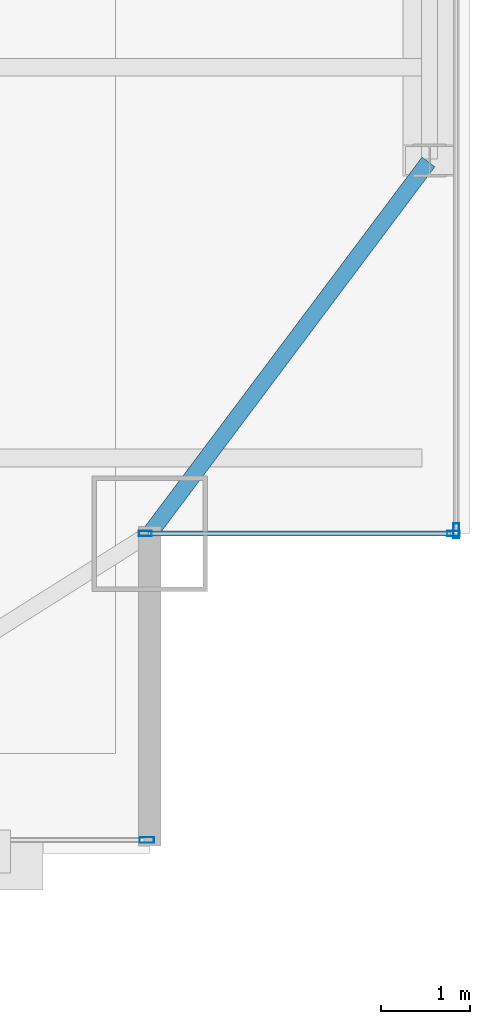
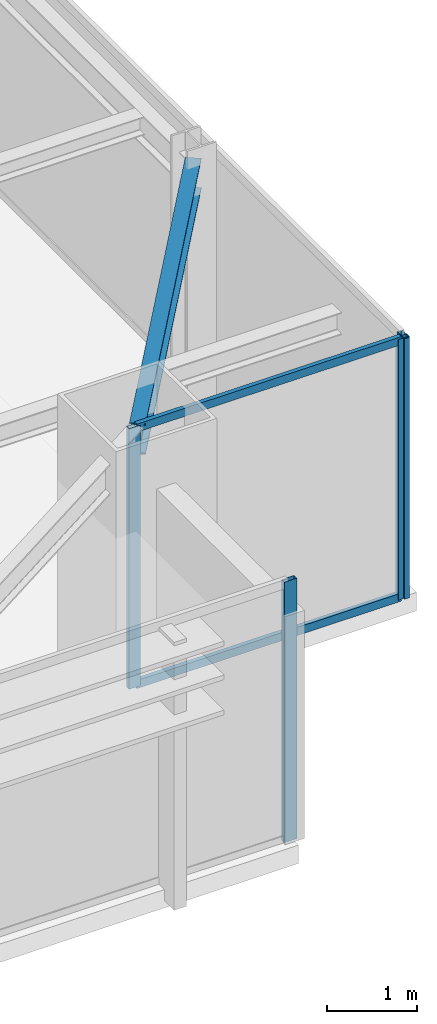
# One storey, part 16 of 32: 6 members, 1 beam, 3 elements without a shape of their own.
"""IFC4 building model written with IfcOpenShell, lengths in metres."""

from ifc_helpers import new_model, si_unit, direction, frame, origin, origin_2d, place, context, subcontext, project, spatial, hollow_rectangle, i_section, extrude, source, transform, mapped, material, layer, layer_set, material_profile, profile_set, type_object, type_shapes, element, aggregate, save


model = new_model("IFC4")

# Units and contexts
model_context = context("Model", 3, precision=1e-05, world=origin(), true_north=direction((0.0, 1.0)))
body_context = subcontext(model_context, "Body", "Model", "MODEL_VIEW")
ifc_project = project(units=[si_unit("LENGTHUNIT", "METRE"), si_unit("AREAUNIT", "SQUARE_METRE"), si_unit("VOLUMEUNIT", "CUBIC_METRE"), si_unit("PLANEANGLEUNIT", "RADIAN"), si_unit("MASSUNIT", "GRAM", prefix="KILO")], contexts=[model_context])

# Site, building, storey
site_placement = place(None, origin())
site = spatial("IfcSite", under=ifc_project, at=site_placement, CompositionType="ELEMENT")
building_placement = place(site_placement, origin())
building = spatial("IfcBuilding", under=site, at=building_placement, Name="Varnel Quay Broadcast Tower", CompositionType="ELEMENT")
storey_placement = place(building_placement, frame((0.0, 0.0, 164.800048828125)))
storey = spatial("IfcBuildingStorey", under=building, at=storey_placement, Name="L40", CompositionType="ELEMENT", Elevation=164.800048828125)

# Beam
ifc_material_1 = material(Name="Structural Steel CSA G40.21 350W", Category="steel")
ifc_material_profile_1 = material_profile(ifc_material_1, i_section(OverallWidth=0.180908203125, OverallDepth=0.4169921875, WebThickness=0.010986328125, FlangeThickness=0.018310546875, FilletRadius=0.011962890625, at=origin_2d()), Name="W410X85")
ifc_profile_set_1 = profile_set([ifc_material_profile_1], Name="Structural Steel CSA G40.21 350W")
beam_type = type_object("IfcBeamType", Name="Beam_W410X85", PredefinedType="SPANDREL", material=ifc_profile_set_1)
shared_shape_1 = source(origin(), body_context, "Body", "SweptSolid", [
    extrude(i_section(OverallWidth=0.180908203125, OverallDepth=0.4169921875, WebThickness=0.010986328125, FlangeThickness=0.018310546875, FilletRadius=0.011962890625, at=origin_2d()), origin(), (0.0, 0.0, 1.0), 5.2099609375),
])
type_shapes(beam_type, [shared_shape_1])
beam_placement = place(storey_placement, frame((57.412109375, 10.81591796875, 3.341552734375), z_axis=(0.6, 0.8, 0.0), x_axis=(-0.8, 0.6, 0.0)))
element("IfcBeam", 1, at=beam_placement, inside=storey, type_object=beam_type, Name="L40 East Spandrel MC-SE-TC-E1", PredefinedType="SPANDREL", context=body_context, shape_type="MappedRepresentation", body=[
    mapped(shared_shape_1, transform((0.0, 0.0, 0.0), x_axis=(1.0, 0.0, 0.0), y_axis=(0.0, 1.0, 0.0), z_axis=(0.0, 0.0, 1.0), scale=1.0)),
])

# Curtain wall, members
ifc_material_2 = material(Name="Anodised Bronze Aluminium 6063-T6", Category="aluminium")
ifc_layer_1 = layer(ifc_material_2, 0.18994140625, Name="Anodised Bronze Aluminium 6063-T6")
ifc_layer_set_1 = layer_set([ifc_layer_1], Name="Anodised Bronze Aluminium 6063-T6")
curtain_wall_type_1 = type_object("IfcCurtainWallType", Name="CW_NotchCorner", PredefinedType="NOTDEFINED", material=ifc_layer_set_1)
curtain_wall_1_placement = place(storey_placement, origin())
curtain_wall_1 = element("IfcCurtainWall", 2, at=curtain_wall_1_placement, inside=storey, type_object=curtain_wall_type_1, Name="L40 SE Notch Curtain Wall", PredefinedType="NOTDEFINED")
ifc_material_profile_2 = material_profile(ifc_material_2, hollow_rectangle(XDim=0.054931640625, YDim=0.110107421875, WallThickness=0.0029296875, at=origin_2d()), Name="ALU55X110X3")
ifc_profile_set_2 = profile_set([ifc_material_profile_2], Name="Anodised Bronze Aluminium 6063-T6")
member_type_1 = type_object("IfcMemberType", Name="Tran_CWS-04", PredefinedType="USERDEFINED", material=ifc_profile_set_2)
shared_shape_2 = source(origin(), body_context, "Body", "SweptSolid", [
    extrude(hollow_rectangle(XDim=0.054931640625, YDim=0.110107421875, WallThickness=0.0029296875, at=origin_2d()), origin(), (0.0, 0.0, 1.0), 3.41015625),
])
type_shapes(member_type_1, [shared_shape_2])
member_1_placement = place(storey_placement, frame((57.3798828125, 10.800048828125, 0.02734375), z_axis=(1.0, 0.0, 0.0), x_axis=(0.0, 1.0, 0.0)))
member_1 = element("IfcMember", 3, at=member_1_placement, type_object=member_type_1, Name="CWS-04 transom 1.1", ObjectType="TRANSOM", PredefinedType="USERDEFINED", context=body_context, shape_type="MappedRepresentation", body=[
    mapped(shared_shape_2, transform((0.0, 0.0, 0.0), x_axis=(1.0, 0.0, 0.0), y_axis=(0.0, 1.0, 0.0), z_axis=(0.0, 0.0, 1.0), scale=1.0)),
])
member_2_placement = place(storey_placement, frame((57.3798828125, 10.800048828125, 3.5224609375), z_axis=(1.0, 0.0, 0.0), x_axis=(0.0, 1.0, 0.0)))
member_2 = element("IfcMember", 4, at=member_2_placement, type_object=member_type_1, Name="CWS-04 transom 1.2", ObjectType="TRANSOM", PredefinedType="USERDEFINED", context=body_context, shape_type="MappedRepresentation", body=[
    mapped(shared_shape_2, transform((0.0, 0.0, 0.0), x_axis=(1.0, 0.0, 0.0), y_axis=(0.0, 1.0, 0.0), z_axis=(0.0, 0.0, 1.0), scale=1.0)),
])
ifc_material_profile_3 = material_profile(ifc_material_2, hollow_rectangle(XDim=0.06005859375, YDim=0.14501953125, WallThickness=0.00341796875, at=origin_2d()), Name="ALU60X145X3.5")
ifc_profile_set_3 = profile_set([ifc_material_profile_3], Name="Anodised Bronze Aluminium 6063-T6")
member_type_2 = type_object("IfcMemberType", Name="Mull_CWS-04", PredefinedType="MULLION", material=ifc_profile_set_3)
shared_shape_3 = source(origin(), body_context, "Body", "SweptSolid", [
    extrude(hollow_rectangle(XDim=0.06005859375, YDim=0.14501953125, WallThickness=0.00341796875, at=origin_2d()), origin(), (0.0, 0.0, 1.0), 3.550048828125),
])
type_shapes(member_type_2, [shared_shape_3])
member_3_placement = place(storey_placement, frame((57.35009765625, 10.800048828125, 0.0), z_axis=(0.0, 0.0, 1.0), x_axis=(0.0, 1.0, 0.0)))
member_3 = element("IfcMember", 5, at=member_3_placement, type_object=member_type_2, Name="CWS-04 mullion 1", PredefinedType="MULLION", context=body_context, shape_type="MappedRepresentation", body=[
    mapped(shared_shape_3, transform((0.0, 0.0, 0.0), x_axis=(1.0, 0.0, 0.0), y_axis=(0.0, 1.0, 0.0), z_axis=(0.0, 0.0, 1.0), scale=1.0)),
])
member_4_placement = place(storey_placement, frame((60.820068359375, 10.800048828125, 0.0), z_axis=(0.0, 0.0, 1.0), x_axis=(0.0, 1.0, 0.0)))
member_4 = element("IfcMember", 6, at=member_4_placement, type_object=member_type_2, Name="CWS-04 mullion 2", PredefinedType="MULLION", context=body_context, shape_type="MappedRepresentation", body=[
    mapped(shared_shape_3, transform((0.0, 0.0, 0.0), x_axis=(1.0, 0.0, 0.0), y_axis=(0.0, 1.0, 0.0), z_axis=(0.0, 0.0, 1.0), scale=1.0)),
])
aggregate(curtain_wall_1, [member_3, member_4, member_1, member_2])

# Curtain wall, member
ifc_layer_2 = layer(ifc_material_2, 0.18994140625, Name="Anodised Bronze Aluminium 6063-T6")
ifc_layer_set_2 = layer_set([ifc_layer_2], Name="Anodised Bronze Aluminium 6063-T6")
curtain_wall_type_2 = type_object("IfcCurtainWallType", Name="CW_UpperTower", PredefinedType="NOTDEFINED", material=ifc_layer_set_2)
curtain_wall_2_placement = place(storey_placement, origin())
curtain_wall_2 = element("IfcCurtainWall", 7, at=curtain_wall_2_placement, inside=storey, type_object=curtain_wall_type_2, Name="L40 South Unitised Curtain Wall 3", PredefinedType="NOTDEFINED")
ifc_material_profile_4 = material_profile(ifc_material_2, hollow_rectangle(XDim=0.06494140625, YDim=0.1650390625, WallThickness=0.00341796875, at=origin_2d()), Name="ALU65X165X3.5")
ifc_profile_set_4 = profile_set([ifc_material_profile_4], Name="Anodised Bronze Aluminium 6063-T6")
member_type_3 = type_object("IfcMemberType", Name="Mull_CWS-03", PredefinedType="MULLION", material=ifc_profile_set_4)
shared_shape_4 = source(origin(), body_context, "Body", "SweptSolid", [
    extrude(hollow_rectangle(XDim=0.06494140625, YDim=0.1650390625, WallThickness=0.00341796875, at=origin_2d()), origin(), (0.0, 0.0, 1.0), 3.550048828125),
])
type_shapes(member_type_3, [shared_shape_4])
member_5_placement = place(storey_placement, frame((57.367431640625, 7.35009765625, 0.0), z_axis=(0.0, 0.0, 1.0), x_axis=(0.0, 1.0, 0.0)))
member_5 = element("IfcMember", 8, at=member_5_placement, type_object=member_type_3, Name="CWS-03 mullion 2", PredefinedType="MULLION", context=body_context, shape_type="MappedRepresentation", body=[
    mapped(shared_shape_4, transform((0.0, 0.0, 0.0), x_axis=(1.0, 0.0, 0.0), y_axis=(0.0, 1.0, 0.0), z_axis=(0.0, 0.0, 1.0), scale=1.0)),
])
aggregate(curtain_wall_2, [member_5])

curtain_wall_3_placement = place(storey_placement, origin())
curtain_wall_3 = element("IfcCurtainWall", 9, at=curtain_wall_3_placement, inside=storey, type_object=curtain_wall_type_2, Name="L40 East Unitised Curtain Wall", PredefinedType="NOTDEFINED")
member_6_placement = place(storey_placement, frame((60.85009765625, 10.83251953125, 0.0), z_axis=(0.0, 0.0, 1.0), x_axis=(-1.0, 0.0, 0.0)))
member_6 = element("IfcMember", 10, at=member_6_placement, type_object=member_type_3, Name="CWS-03 mullion 1", PredefinedType="MULLION", context=body_context, shape_type="MappedRepresentation", body=[
    mapped(shared_shape_4, transform((0.0, 0.0, 0.0), x_axis=(1.0, 0.0, 0.0), y_axis=(0.0, 1.0, 0.0), z_axis=(0.0, 0.0, 1.0), scale=1.0)),
])
aggregate(curtain_wall_3, [member_6])

save(model, "model.ifc")
